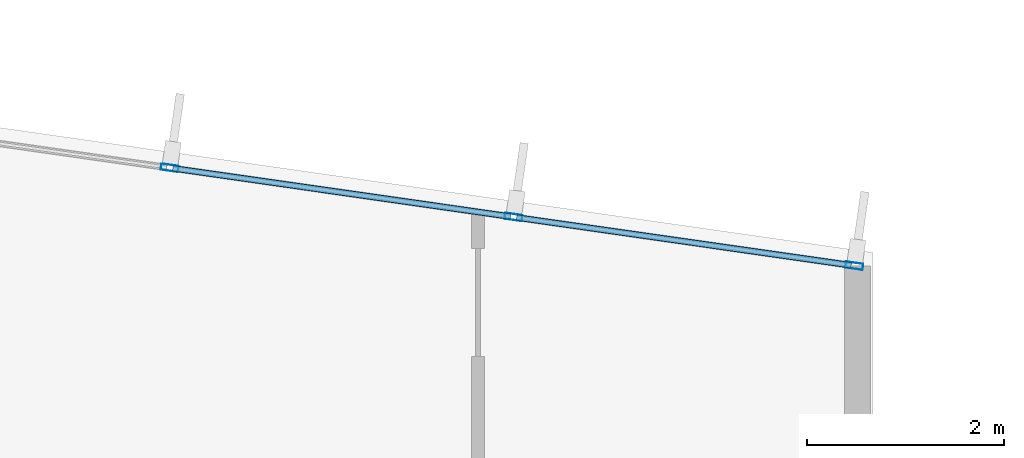
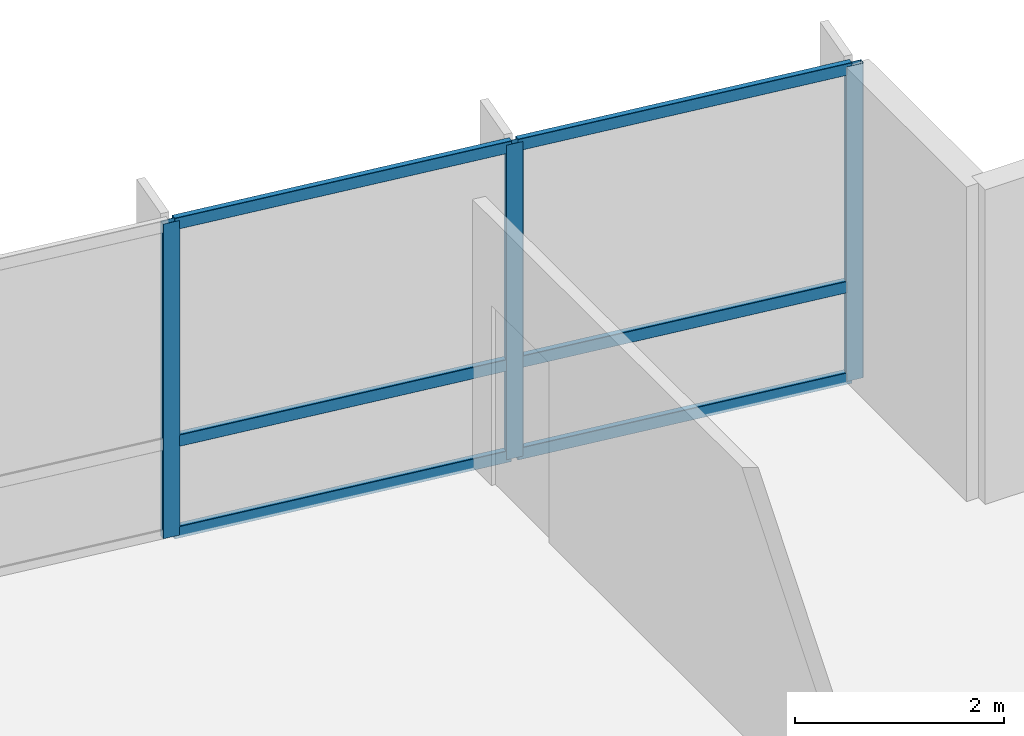
# One storey, part 8 of 15: 9 members, 1 element without a shape of its own.
"""IFC4 building model written with IfcOpenShell, lengths in metres."""

from ifc_helpers import new_model, si_unit, direction, frame, origin, origin_2d, place, context, subcontext, project, spatial, hollow_rectangle, extrude, material, layer, layer_set, material_profile, profile_set, type_object, element, aggregate, save


model = new_model("IFC4")

# Units and contexts
model_context = context("Model", 3, precision=1e-05, world=origin(), true_north=direction((0.0, 1.0)))
body_context = subcontext(model_context, "Body", "Model", "MODEL_VIEW")
ifc_project = project(units=[si_unit("LENGTHUNIT", "METRE"), si_unit("AREAUNIT", "SQUARE_METRE"), si_unit("VOLUMEUNIT", "CUBIC_METRE"), si_unit("PLANEANGLEUNIT", "RADIAN"), si_unit("MASSUNIT", "GRAM", prefix="KILO")], contexts=[model_context])

# Site, building, storey
site_placement = place(None, origin())
site = spatial("IfcSite", under=ifc_project, at=site_placement, CompositionType="ELEMENT")
building_placement = place(site_placement, origin())
building = spatial("IfcBuilding", under=site, at=building_placement, Name="Varnakote Quay Hospital", CompositionType="ELEMENT")
storey_placement = place(building_placement, frame((0.0, 0.0, 300.0)))
storey = spatial("IfcBuildingStorey", under=building, at=storey_placement, Name="L74", CompositionType="ELEMENT", Elevation=300.0)

# Curtain wall, members
ifc_material_1 = material(Name="Anodised aluminium 6063-T6 Bronze", Category="aluminium")
ifc_layer = layer(ifc_material_1, 0.235107421875)
ifc_layer_set = layer_set([ifc_layer], Name="Anodised aluminium 6063-T6 Bronze")
curtain_wall_type = type_object("IfcCurtainWallType", Name="CW-SYS-5", PredefinedType="NOTDEFINED", material=ifc_layer_set)
curtain_wall_placement = place(storey_placement, origin())
curtain_wall = element("IfcCurtainWall", 1, at=curtain_wall_placement, inside=storey, type_object=curtain_wall_type, Name="L74 Unitised Bronze Curtain Wall 1", PredefinedType="NOTDEFINED")
ifc_material_2 = material(Name="Anodised aluminium 6063-T6 Bronze", Category="aluminium")
ifc_material_profile_1 = material_profile(ifc_material_2, hollow_rectangle(XDim=0.06494140625, YDim=0.179931640625, WallThickness=0.00390625, InnerFilletRadius=0.00390625, OuterFilletRadius=0.008056640625, at=origin_2d()), Name="CW-MULL-180x65")
ifc_profile_set_1 = profile_set([ifc_material_profile_1], Name="Anodised aluminium 6063-T6 Bronze")
member_type_1 = type_object("IfcMemberType", Name="CW-MULL-180x65", PredefinedType="MULLION", material=ifc_profile_set_1)
member_1_placement = place(storey_placement, frame((37.90771484375, 27.666015625, 0.0), z_axis=(0.0, 0.0, 1.0), x_axis=(-0.141571876691, -0.989927979062, 0.0)))
member_1 = element("IfcMember", 2, at=member_1_placement, type_object=member_type_1, Name="-5-L74-1 mullion 1", PredefinedType="MULLION", context=body_context, shape_type="SweptSolid", body=[
    extrude(hollow_rectangle(XDim=0.06494140625, YDim=0.179931640625, WallThickness=0.00390625, InnerFilletRadius=0.00390625, OuterFilletRadius=0.008056640625, at=origin_2d()), origin(), (0.0, 0.0, 1.0), 3.669921875),
])
member_2_placement = place(storey_placement, frame((34.441162109375, 28.16162109375, 0.0), z_axis=(0.0, 0.0, 1.0), x_axis=(-0.141571876691, -0.989927979062, 0.0)))
member_2 = element("IfcMember", 3, at=member_2_placement, type_object=member_type_1, Name="-5-L74-1 mullion 2", PredefinedType="MULLION", context=body_context, shape_type="SweptSolid", body=[
    extrude(hollow_rectangle(XDim=0.06494140625, YDim=0.179931640625, WallThickness=0.00390625, InnerFilletRadius=0.00390625, OuterFilletRadius=0.008056640625, at=origin_2d()), origin(), (0.0, 0.0, 1.0), 3.669921875),
])
member_3_placement = place(storey_placement, frame((30.9423828125, 28.662109375, 0.0), z_axis=(0.0, 0.0, 1.0), x_axis=(-0.141571876691, -0.989927979062, 0.0)))
member_3 = element("IfcMember", 4, at=member_3_placement, type_object=member_type_1, Name="-5-L74-1 mullion 3", PredefinedType="MULLION", context=body_context, shape_type="SweptSolid", body=[
    extrude(hollow_rectangle(XDim=0.06494140625, YDim=0.179931640625, WallThickness=0.00390625, InnerFilletRadius=0.00390625, OuterFilletRadius=0.008056640625, at=origin_2d()), origin(), (0.0, 0.0, 1.0), 3.669921875),
])
ifc_material_3 = material(Name="Anodised aluminium 6063-T6 Bronze", Category="aluminium")
ifc_material_profile_2 = material_profile(ifc_material_3, hollow_rectangle(XDim=0.06494140625, YDim=0.139892578125, WallThickness=0.00390625, InnerFilletRadius=0.00390625, OuterFilletRadius=0.007568359375, at=origin_2d()), Name="CW-TRAN-140x65")
ifc_profile_set_2 = profile_set([ifc_material_profile_2], Name="Anodised aluminium 6063-T6 Bronze")
member_type_2 = type_object("IfcMemberType", Name="CW-TRAN-140x65", PredefinedType="USERDEFINED", material=ifc_profile_set_2)
member_4_placement = place(storey_placement, frame((37.875732421875, 27.67041015625, 0.032470703125), z_axis=(-0.989928172258, 0.141570525783, 0.0), x_axis=(-0.141570525783, -0.989928172258, 0.0)))
member_4 = element("IfcMember", 5, at=member_4_placement, type_object=member_type_2, Name="-5-L74-1 transom 1.1", ObjectType="TRANSOM", PredefinedType="USERDEFINED", context=body_context, shape_type="SweptSolid", body=[
    extrude(hollow_rectangle(XDim=0.06494140625, YDim=0.139892578125, WallThickness=0.00390625, InnerFilletRadius=0.00390625, OuterFilletRadius=0.007568359375, at=origin_2d()), origin(), (0.0, 0.0, 1.0), 3.43701171875),
])
member_5_placement = place(storey_placement, frame((37.875732421875, 27.67041015625, 1.10009765625), z_axis=(-0.989928172258, 0.141570525783, 0.0), x_axis=(-0.141570525783, -0.989928172258, 0.0)))
member_5 = element("IfcMember", 6, at=member_5_placement, type_object=member_type_2, Name="-5-L74-1 transom 1.2", ObjectType="TRANSOM", PredefinedType="USERDEFINED", context=body_context, shape_type="SweptSolid", body=[
    extrude(hollow_rectangle(XDim=0.06494140625, YDim=0.139892578125, WallThickness=0.00390625, InnerFilletRadius=0.00390625, OuterFilletRadius=0.007568359375, at=origin_2d()), origin(), (0.0, 0.0, 1.0), 3.43701171875),
])
member_6_placement = place(storey_placement, frame((37.875732421875, 27.67041015625, 3.637451171875), z_axis=(-0.989928172258, 0.141570525783, 0.0), x_axis=(-0.141570525783, -0.989928172258, 0.0)))
member_6 = element("IfcMember", 7, at=member_6_placement, type_object=member_type_2, Name="-5-L74-1 transom 1.3", ObjectType="TRANSOM", PredefinedType="USERDEFINED", context=body_context, shape_type="SweptSolid", body=[
    extrude(hollow_rectangle(XDim=0.06494140625, YDim=0.139892578125, WallThickness=0.00390625, InnerFilletRadius=0.00390625, OuterFilletRadius=0.007568359375, at=origin_2d()), origin(), (0.0, 0.0, 1.0), 3.43701171875),
])
member_7_placement = place(storey_placement, frame((34.4091796875, 28.166259765625, 0.032470703125), z_axis=(-0.989926963581, 0.141578977163, 0.0), x_axis=(-0.141578977163, -0.989926963581, 0.0)))
member_7 = element("IfcMember", 8, at=member_7_placement, type_object=member_type_2, Name="-5-L74-1 transom 2.1", ObjectType="TRANSOM", PredefinedType="USERDEFINED", context=body_context, shape_type="SweptSolid", body=[
    extrude(hollow_rectangle(XDim=0.06494140625, YDim=0.139892578125, WallThickness=0.00390625, InnerFilletRadius=0.00390625, OuterFilletRadius=0.007568359375, at=origin_2d()), origin(), (0.0, 0.0, 1.0), 3.469482421875),
])
member_8_placement = place(storey_placement, frame((34.4091796875, 28.166259765625, 1.10009765625), z_axis=(-0.989926963581, 0.141578977163, 0.0), x_axis=(-0.141578977163, -0.989926963581, 0.0)))
member_8 = element("IfcMember", 9, at=member_8_placement, type_object=member_type_2, Name="-5-L74-1 transom 2.2", ObjectType="TRANSOM", PredefinedType="USERDEFINED", context=body_context, shape_type="SweptSolid", body=[
    extrude(hollow_rectangle(XDim=0.06494140625, YDim=0.139892578125, WallThickness=0.00390625, InnerFilletRadius=0.00390625, OuterFilletRadius=0.007568359375, at=origin_2d()), origin(), (0.0, 0.0, 1.0), 3.469482421875),
])
member_9_placement = place(storey_placement, frame((34.4091796875, 28.166259765625, 3.637451171875), z_axis=(-0.989926963581, 0.141578977163, 0.0), x_axis=(-0.141578977163, -0.989926963581, 0.0)))
member_9 = element("IfcMember", 10, at=member_9_placement, type_object=member_type_2, Name="-5-L74-1 transom 2.3", ObjectType="TRANSOM", PredefinedType="USERDEFINED", context=body_context, shape_type="SweptSolid", body=[
    extrude(hollow_rectangle(XDim=0.06494140625, YDim=0.139892578125, WallThickness=0.00390625, InnerFilletRadius=0.00390625, OuterFilletRadius=0.007568359375, at=origin_2d()), origin(), (0.0, 0.0, 1.0), 3.469482421875),
])
aggregate(curtain_wall, [member_1, member_2, member_3, member_4, member_5, member_6, member_7, member_8, member_9])

save(model, "model.ifc")
